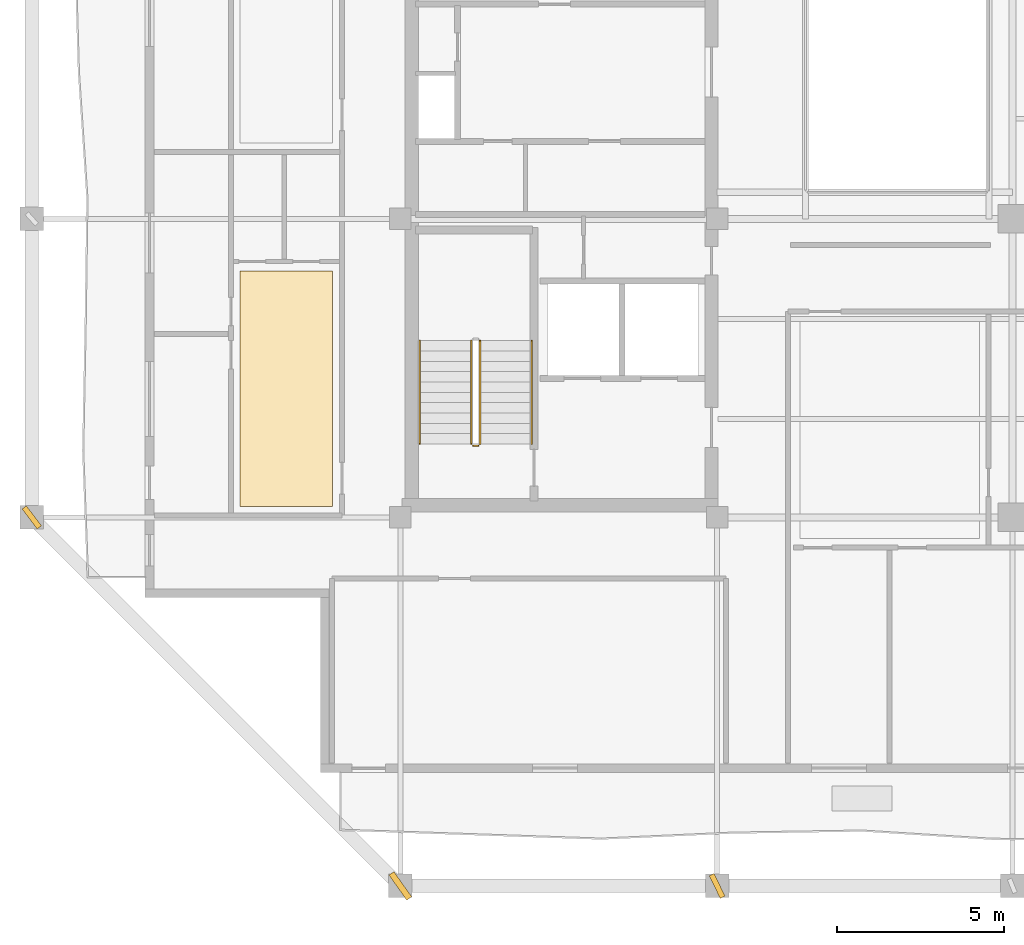
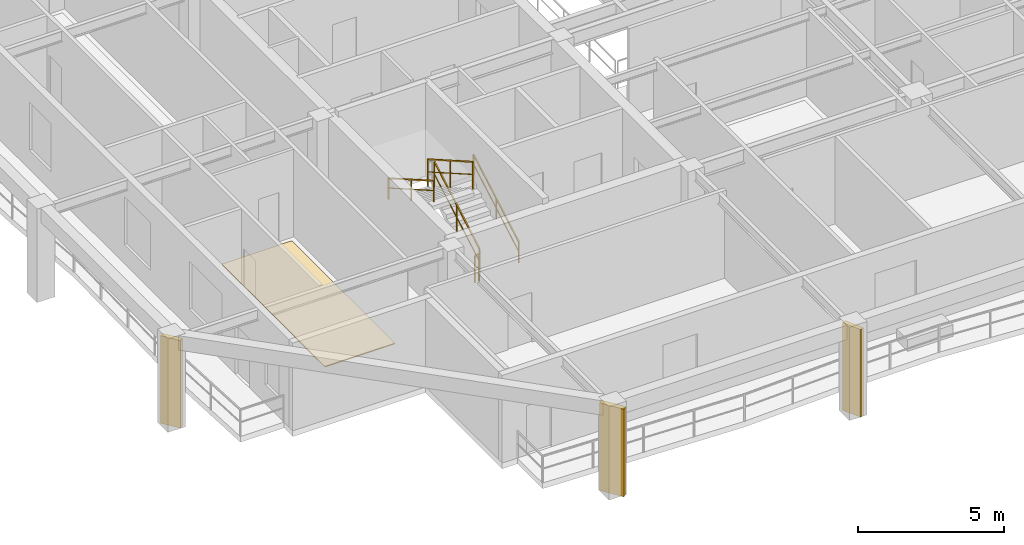
# One storey, part 7 of 12: 5 railings, 3 shading devices, 1 covering.
"""IFC4 building model written with IfcOpenShell, lengths in metres."""

import ifcopenshell
import ifcopenshell.guid

model = None  # the IFC model being written
_history = None  # IfcOwnerHistory: only IFC2X3 demands one
_inside = {}  # id of a spatial element -> (the spatial element, [elements in it])
_under = {}  # id of a project, library or spatial element -> (it, [spatial elements below it])
_declared = {}  # id of a project -> (the project, [libraries it declares])
_typed = {}  # id of a type object -> (the type object, [elements of that type])
_made_of = {}  # id of a material, layer set ... -> (it, [elements and type objects made of it])


def new_model(schema):
    """Start an empty IFC model of exactly this schema.

    Asked for "IFC4X3", IfcOpenShell would pick the latest addendum, in which some entities
    have other attributes; the version numbers below select the first issue.
    IFC2X3 requires an IfcOwnerHistory on every rooted entity: one is made here for all.
    """
    global model, _history
    if schema == "IFC4X3":
        model = ifcopenshell.file(schema_version=(4, 3, 0, 0))
    else:
        model = ifcopenshell.file(schema=schema)
    _inside.clear()
    _under.clear()
    _declared.clear()
    _typed.clear()
    _made_of.clear()
    _history = None
    if model.schema == "IFC2X3":
        org = make("IfcOrganization", Name="unknown")
        user = make(
            "IfcPersonAndOrganization",
            ThePerson=make("IfcPerson", FamilyName="unknown"),
            TheOrganization=org,
        )
        app = make(
            "IfcApplication",
            ApplicationDeveloper=org,
            Version="unknown",
            ApplicationFullName="unknown",
            ApplicationIdentifier="unknown",
        )
        _history = make(
            "IfcOwnerHistory",
            OwningUser=user,
            OwningApplication=app,
            ChangeAction="ADDED",
            CreationDate=0,
        )
    return model


def make(cls, **values):
    """One entity of the class cls with the attributes given. An attribute that is None is left unset."""
    return model.create_entity(
        cls, **{name: value for name, value in values.items() if value is not None}
    )


def rooted(cls, **values):
    """An entity with a GlobalId (a new one), such as an element, a storey or a relation."""
    return make(cls, GlobalId=ifcopenshell.guid.new(), OwnerHistory=_history, **values)


def si_unit(unit_type, name, prefix=None):
    """IfcSIUnit, for example si_unit("LENGTHUNIT", "METRE", prefix="MILLI")."""
    return make("IfcSIUnit", UnitType=unit_type, Prefix=prefix, Name=name)


def assignment(units):
    """IfcUnitAssignment: the units of a project."""
    return None if units is None else make("IfcUnitAssignment", Units=units)


def point(xyz):
    """IfcCartesianPoint."""
    return None if xyz is None else make("IfcCartesianPoint", Coordinates=xyz)


def direction(xyz):
    """IfcDirection."""
    return None if xyz is None else make("IfcDirection", DirectionRatios=xyz)


def frame(location, z_axis=None, x_axis=None):
    """IfcAxis2Placement3D, a coordinate frame: its origin and axes. An axis left out is left unset."""
    return make(
        "IfcAxis2Placement3D",
        Location=point(location),
        Axis=direction(z_axis),
        RefDirection=direction(x_axis),
    )


def frame_2d(location, x_axis=None):
    """IfcAxis2Placement2D, a coordinate frame in the plane: its origin and x axis."""
    return make(
        "IfcAxis2Placement2D", Location=point(location), RefDirection=direction(x_axis)
    )


def origin():
    """The frame at (0, 0, 0) with its axes left unset."""
    return frame((0.0, 0.0, 0.0))


def origin_2d():
    """The frame at (0, 0) in the plane with its x axis left unset."""
    return frame_2d((0.0, 0.0))


def place(relative_to, where):
    """IfcLocalPlacement: puts the frame where relative to a parent placement (None: the world)."""
    return make(
        "IfcLocalPlacement", PlacementRelTo=relative_to, RelativePlacement=where
    )


def context(
    kind, dimensions, precision=None, world=None, true_north=None, identifier=None
):
    """IfcGeometricRepresentationContext, for example the 3D "Model" context."""
    return make(
        "IfcGeometricRepresentationContext",
        ContextIdentifier=identifier,
        ContextType=kind,
        CoordinateSpaceDimension=dimensions,
        Precision=precision,
        WorldCoordinateSystem=world,
        TrueNorth=true_north,
    )


def subcontext(parent, identifier, kind, view, scale=None):
    """IfcGeometricRepresentationSubContext, for example "Body" below "Model"."""
    return make(
        "IfcGeometricRepresentationSubContext",
        ContextIdentifier=identifier,
        ContextType=kind,
        ParentContext=parent,
        TargetScale=scale,
        TargetView=view,
    )


def project(units=None, contexts=None):
    """IfcProject with its units and contexts."""
    return rooted(
        "IfcProject",
        Name="project",
        RepresentationContexts=contexts,
        UnitsInContext=assignment(units),
    )


def spatial(cls, under=None, at=None, **own):
    """A site, building, storey or space (cls), placed at a placement, below another one or the project."""
    s = rooted(cls, ObjectPlacement=at, **own)
    if under is not None:
        _under.setdefault(under.id(), (under, []))[1].append(s)
    return s


def polyline(points):
    """IfcPolyline through the points."""
    return make("IfcPolyline", Points=[point(p) for p in points])


def profile(cls, at=None, kind="AREA", **sizes):
    """A parametric profile (cls). Its sizes go by their IFC names, for example OverallWidth=200.0."""
    return make(cls, ProfileType=kind, Position=at, **sizes)


def rectangle(**sizes):
    """IfcRectangleProfileDef."""
    return profile("IfcRectangleProfileDef", **sizes)


def outline(outer, holes=None, kind="AREA"):
    """IfcArbitraryClosedProfileDef: a profile drawn as a closed curve; with holes, ...WithVoids."""
    if holes is None:
        return make("IfcArbitraryClosedProfileDef", ProfileType=kind, OuterCurve=outer)
    return make(
        "IfcArbitraryProfileDefWithVoids",
        ProfileType=kind,
        OuterCurve=outer,
        InnerCurves=holes,
    )


def extrude(swept, where, along, depth):
    """IfcExtrudedAreaSolid: the profile swept, set in the frame where, extruded along a direction by depth."""
    return make(
        "IfcExtrudedAreaSolid",
        SweptArea=swept,
        Position=where,
        ExtrudedDirection=direction(along),
        Depth=depth,
    )


def shape(context_of_items, identifier, shape_type, items):
    """IfcShapeRepresentation: the items that make up one representation, for example the "Body"."""
    return make(
        "IfcShapeRepresentation",
        ContextOfItems=context_of_items,
        RepresentationIdentifier=identifier,
        RepresentationType=shape_type,
        Items=items,
    )


def material(Name=None, Category=None):
    """IfcMaterial."""
    return make("IfcMaterial", Name=Name, Category=Category)


def layer(
    of_material, thickness, ventilated=None, Name=None, Category=None, Priority=None
):
    """IfcMaterialLayer: one layer of a wall or slab, of a material (None: an air gap)."""
    return make(
        "IfcMaterialLayer",
        Material=of_material,
        LayerThickness=thickness,
        IsVentilated=ventilated,
        Name=Name,
        Category=Category,
        Priority=Priority,
    )


def layer_set(layers, Name=None):
    """IfcMaterialLayerSet."""
    return make("IfcMaterialLayerSet", MaterialLayers=layers, LayerSetName=Name)


def made_of(thing, what):
    """Note that an element or type object is made of a material, layer set ...; save() writes the relation."""
    if what is not None:
        _made_of.setdefault(what.id(), (what, []))[1].append(thing)
    return thing


def type_object(cls, material=None, **own):
    """A type object (cls), such as IfcWallType, which elements share."""
    return made_of(rooted(cls, **own), material)


def element(
    cls,
    number,
    at=None,
    inside=None,
    cuts=None,
    type_object=None,
    material=None,
    context=None,
    identifier="Body",
    shape_type=None,
    held_by="IfcProductDefinitionShape",
    body=None,
    shapes=None,
    **own,
):
    """One element of the class cls, such as IfcWall. Its Tag is "e" and its number.

    at: its placement. inside: the storey or other place that contains it. cuts: it is an
    opening in that element (IfcRelVoidsElement). A single representation is given by context,
    identifier, shape_type and body (its items); several are given by shapes. held_by: the class
    of the entity that holds the representations. save() writes the other relations.
    """
    e = rooted(cls, Tag="e%d" % number, ObjectPlacement=at, **own)
    if body is not None:
        shapes = [shape(context, identifier, shape_type, body)]
    if shapes is not None:
        e.Representation = make(held_by, Representations=shapes)
    if inside is not None:
        _inside.setdefault(inside.id(), (inside, []))[1].append(e)
    if cuts is not None:
        rooted(
            "IfcRelVoidsElement", RelatingBuildingElement=cuts, RelatedOpeningElement=e
        )
    if type_object is not None:
        _typed.setdefault(type_object.id(), (type_object, []))[1].append(e)
    return made_of(e, material)


def aggregate(whole, parts):
    """IfcRelAggregates: a whole, such as a stair, and the parts it consists of."""
    return rooted("IfcRelAggregates", RelatingObject=whole, RelatedObjects=parts)


def save(model, path):
    """Write the relations noted so far, then the file.

    IfcRelAggregates (storeys below a building ...), IfcRelContainedInSpatialStructure (elements
    in a storey), IfcRelDefinesByType, IfcRelAssociatesMaterial and IfcRelDeclares: one each for
    every whole, place, type object, material and project.
    """
    for whole, parts in _under.values():
        aggregate(whole, parts)
    for where, things in _inside.values():
        rooted(
            "IfcRelContainedInSpatialStructure",
            RelatedElements=things,
            RelatingStructure=where,
        )
    for kind, things in _typed.values():
        rooted("IfcRelDefinesByType", RelatedObjects=things, RelatingType=kind)
    for what, things in _made_of.values():
        rooted("IfcRelAssociatesMaterial", RelatedObjects=things, RelatingMaterial=what)
    for by, libraries in _declared.values():
        rooted("IfcRelDeclares", RelatingContext=by, RelatedDefinitions=libraries)
    model.write(path)


model = new_model("IFC4")

# Units and contexts
model_context = context("Model", 3, precision=1e-05, world=origin(), true_north=direction((0.0, 1.0)))
body_context = subcontext(model_context, "Body", "Model", "MODEL_VIEW")
ifc_project = project(units=[si_unit("LENGTHUNIT", "METRE"), si_unit("AREAUNIT", "SQUARE_METRE"), si_unit("VOLUMEUNIT", "CUBIC_METRE"), si_unit("PLANEANGLEUNIT", "RADIAN"), si_unit("MASSUNIT", "GRAM", prefix="KILO")], contexts=[model_context])

# Site, building, storey
site_placement = place(None, origin())
site = spatial("IfcSite", under=ifc_project, at=site_placement, CompositionType="ELEMENT")
building_placement = place(site_placement, origin())
building = spatial("IfcBuilding", under=site, at=building_placement, Name="Kundavana Baori Tower", CompositionType="ELEMENT")
storey_placement = place(building_placement, frame((0.0, 0.0, 241.39990234375)))
storey = spatial("IfcBuildingStorey", under=building, at=storey_placement, Name="L59", CompositionType="ELEMENT", Elevation=241.39990234375)

# Covering
ifc_material_1 = material(Name="Honed Kota Stone and Terrazzo Flooring", Category="masonry")
ifc_layer = layer(ifc_material_1, 0.0400390625, Name="COV-FLR-TERR-40")
ifc_layer_set = layer_set([ifc_layer], Name="Honed Kota Stone and Terrazzo Flooring")
covering_type = type_object("IfcCoveringType", Name="COV-FLR-TERR-40", PredefinedType="FLOORING", material=ifc_layer_set)
covering_placement = place(storey_placement, origin())
element("IfcCovering", 1, at=covering_placement, inside=storey, type_object=covering_type, Name="L59 Room Finished Stone Flooring 1", PredefinedType="FLOORING", context=body_context, shape_type="SweptSolid", body=[
    extrude(outline(polyline([(10.64990234375, 15.580078125), (13.419921875, 15.580078125), (13.419921875, 22.639892578125), (10.64990234375, 22.639892578125), (10.64990234375, 15.580078125)])), origin(), (0.0, 0.0, 1.0), 0.0400390625),
])

# Railings
ifc_material_2 = material(Name="Architectural Patinated Bronze Metalwork")
railing_type_1 = type_object("IfcRailingType", Name="RL-GRD-1150", PredefinedType="GUARDRAIL", material=ifc_material_2)
railing_1_placement = place(storey_placement, frame((17.840087890625, 17.449951171875, 0.177490234375)))
element("IfcRailing", 2, at=railing_1_placement, inside=storey, type_object=railing_type_1, Name="L59 ST1 stair guard 1", PredefinedType="GUARDRAIL", context=body_context, shape_type="SweptSolid", body=[
    extrude(rectangle(XDim=0.048095703125, YDim=0.048095703125, at=origin_2d()), frame((0.0, 0.0, 1.1259765625), z_axis=(0.0, 0.868095856688, 0.496396599103), x_axis=(-1.0, 0.0, 0.0)), (0.0, 0.0, 1.0), 3.571044921875),
    extrude(rectangle(XDim=0.03125, YDim=0.03125, at=origin_2d()), frame((0.0, 0.0, 0.597900390625), z_axis=(0.0, 0.868095856688, 0.496396599103), x_axis=(-1.0, 0.0, 0.0)), (0.0, 0.0, 1.0), 3.571044921875),
    extrude(rectangle(XDim=0.0419921875, YDim=0.0419921875, at=origin_2d()), origin(), (0.0, 0.0, 1.0), 1.101806640625),
    extrude(rectangle(XDim=0.0419921875, YDim=0.0419921875, at=origin_2d()), frame((0.0, 1.550048828125, 0.88623046875)), (0.0, 0.0, 1.0), 1.101806640625),
    extrude(rectangle(XDim=0.0419921875, YDim=0.0419921875, at=origin_2d()), frame((0.0, 3.10009765625, 1.772705078125)), (0.0, 0.0, 1.0), 1.101806640625),
])
railing_2_placement = place(storey_placement, frame((17.580078125, 20.550048828125, 2.12744140625)))
element("IfcRailing", 3, at=railing_2_placement, inside=storey, type_object=railing_type_1, Name="L59 ST1 stair guard 3", PredefinedType="GUARDRAIL", context=body_context, shape_type="SweptSolid", body=[
    extrude(rectangle(XDim=0.048095703125, YDim=0.048095703125, at=origin_2d()), frame((0.0, 0.0, 1.1259765625), z_axis=(0.0, -0.868095856688, 0.496396599103), x_axis=(1.0, 0.0, 0.0)), (0.0, 0.0, 1.0), 3.571044921875),
    extrude(rectangle(XDim=0.03125, YDim=0.03125, at=origin_2d()), frame((0.0, 0.0, 0.597900390625), z_axis=(0.0, -0.868095856688, 0.496396599103), x_axis=(1.0, 0.0, 0.0)), (0.0, 0.0, 1.0), 3.571044921875),
    extrude(rectangle(XDim=0.0419921875, YDim=0.0419921875, at=origin_2d()), origin(), (0.0, 0.0, 1.0), 1.101806640625),
    extrude(rectangle(XDim=0.0419921875, YDim=0.0419921875, at=origin_2d()), frame((0.0, -1.550048828125, 0.88623046875)), (0.0, 0.0, 1.0), 1.101806640625),
    extrude(rectangle(XDim=0.0419921875, YDim=0.0419921875, at=origin_2d()), frame((0.0, -3.10009765625, 1.772705078125)), (0.0, 0.0, 1.0), 1.101806640625),
])
railing_3_placement = place(storey_placement, frame((17.7900390625, 17.39990234375, 0.0)))
element("IfcRailing", 4, at=railing_3_placement, inside=storey, type_object=railing_type_1, Name="L59 ST1 stair guard 4", PredefinedType="GUARDRAIL", context=body_context, shape_type="SweptSolid", body=[
    extrude(rectangle(XDim=0.048095703125, YDim=0.048095703125, at=origin_2d()), frame((0.0, 0.0, 1.1259765625), z_axis=(-1.0, 0.0, 0.0), x_axis=(0.0, -1.0, 0.0)), (0.0, 0.0, 1.0), 0.16015625),
    extrude(rectangle(XDim=0.03125, YDim=0.03125, at=origin_2d()), frame((0.0, 0.0, 0.597900390625), z_axis=(-1.0, 0.0, 0.0), x_axis=(0.0, -1.0, 0.0)), (0.0, 0.0, 1.0), 0.16015625),
    extrude(rectangle(XDim=0.0419921875, YDim=0.0419921875, at=origin_2d()), origin(), (0.0, 0.0, 1.0), 1.101806640625),
    extrude(rectangle(XDim=0.0419921875, YDim=0.0419921875, at=origin_2d()), frame((-0.16015625, 0.0, 0.0)), (0.0, 0.0, 1.0), 1.101806640625),
])
ifc_material_3 = material(Name="Architectural Patinated Bronze Metalwork")
railing_type_2 = type_object("IfcRailingType", Name="RL-HND-920", PredefinedType="HANDRAIL", material=ifc_material_3)
railing_4_placement = place(storey_placement, frame((19.389892578125, 17.449951171875, 0.177490234375)))
element("IfcRailing", 5, at=railing_4_placement, inside=storey, type_object=railing_type_2, Name="L59 ST1 stair handrail 1", PredefinedType="HANDRAIL", context=body_context, shape_type="SweptSolid", body=[
    extrude(rectangle(XDim=0.048095703125, YDim=0.048095703125, at=origin_2d()), frame((0.0, 0.0, 0.8759765625), z_axis=(0.0, 0.868095856688, 0.496396599103), x_axis=(-1.0, 0.0, 0.0)), (0.0, 0.0, 1.0), 3.571044921875),
    extrude(rectangle(XDim=0.03125, YDim=0.03125, at=origin_2d()), frame((0.0, 0.0, 0.468017578125), z_axis=(0.0, 0.868095856688, 0.496396599103), x_axis=(-1.0, 0.0, 0.0)), (0.0, 0.0, 1.0), 3.571044921875),
    extrude(rectangle(XDim=0.0419921875, YDim=0.0419921875, at=origin_2d()), origin(), (0.0, 0.0, 1.0), 0.851806640625),
    extrude(rectangle(XDim=0.0419921875, YDim=0.0419921875, at=origin_2d()), frame((0.0, 1.550048828125, 0.88623046875)), (0.0, 0.0, 1.0), 0.851806640625),
    extrude(rectangle(XDim=0.0419921875, YDim=0.0419921875, at=origin_2d()), frame((0.0, 3.10009765625, 1.772705078125)), (0.0, 0.0, 1.0), 0.851806640625),
])
railing_5_placement = place(storey_placement, frame((16.030029296875, 20.550048828125, 2.12744140625)))
element("IfcRailing", 6, at=railing_5_placement, inside=storey, type_object=railing_type_2, Name="L59 ST1 stair handrail 2", PredefinedType="HANDRAIL", context=body_context, shape_type="SweptSolid", body=[
    extrude(rectangle(XDim=0.048095703125, YDim=0.048095703125, at=origin_2d()), frame((0.0, 0.0, 0.8759765625), z_axis=(0.0, -0.868095856688, 0.496396599103), x_axis=(1.0, 0.0, 0.0)), (0.0, 0.0, 1.0), 3.571044921875),
    extrude(rectangle(XDim=0.03125, YDim=0.03125, at=origin_2d()), frame((0.0, 0.0, 0.468017578125), z_axis=(0.0, -0.868095856688, 0.496396599103), x_axis=(1.0, 0.0, 0.0)), (0.0, 0.0, 1.0), 3.571044921875),
    extrude(rectangle(XDim=0.0419921875, YDim=0.0419921875, at=origin_2d()), origin(), (0.0, 0.0, 1.0), 0.851806640625),
    extrude(rectangle(XDim=0.0419921875, YDim=0.0419921875, at=origin_2d()), frame((0.0, -1.550048828125, 0.88623046875)), (0.0, 0.0, 1.0), 0.851806640625),
    extrude(rectangle(XDim=0.0419921875, YDim=0.0419921875, at=origin_2d()), frame((0.0, -3.10009765625, 1.772705078125)), (0.0, 0.0, 1.0), 0.851806640625),
])

# Shading devices
ifc_material_4 = material(Name="Red-Buff Dholpur Sandstone Cladding on Concrete C40/50", Category="masonry")
shading_device_type_1 = type_object("IfcShadingDeviceType", Name="SHD-FIN-750", PredefinedType="JALOUSIE", material=ifc_material_4)
for number, where, z_axis, x_axis, name in (
    (7, (24.949951171875, 4.199951171875, 0.0), (0.0, 0.0, 1.0), (0.899710196736, 0.436487756861, 0.0), "L59 Sweeping Dholpur Sandstone Facade Fin 2"),
    (8, (4.39990234375, 15.25, 0.0), (0.0, 0.0, 1.0), (0.79926529125, 0.600978364173, 0.0), "L59 Sweeping Dholpur Sandstone Facade Fin 5"),
):
    element("IfcShadingDevice", number, at=place(storey_placement, frame(where, z_axis=z_axis, x_axis=x_axis)), inside=storey, type_object=shading_device_type_1, Name=name, PredefinedType="JALOUSIE", context=body_context, shape_type="SweptSolid", body=[
        extrude(rectangle(XDim=0.159912109375, YDim=0.75, at=origin_2d()), origin(), (0.0, 0.0, 1.0), 3.659912109375),
    ])
ifc_material_5 = material(Name="Red-Buff Dholpur Sandstone Cladding on Concrete C40/50", Category="masonry")
shading_device_type_2 = type_object("IfcShadingDeviceType", Name="SHD-FIN-920", PredefinedType="JALOUSIE", material=ifc_material_5)
shading_device_placement = place(storey_placement, frame((15.449951171875, 4.199951171875, 0.0), z_axis=(0.0, 0.0, 1.0), x_axis=(0.815633003474, 0.578569618666, 0.0)))
element("IfcShadingDevice", 9, at=shading_device_placement, inside=storey, type_object=shading_device_type_2, Name="L59 Sweeping Dholpur Sandstone Facade Fin 1", PredefinedType="JALOUSIE", context=body_context, shape_type="SweptSolid", body=[
    extrude(rectangle(XDim=0.179931640625, YDim=0.919921875, at=origin_2d()), origin(), (0.0, 0.0, 1.0), 3.659912109375),
])

save(model, "model.ifc")
